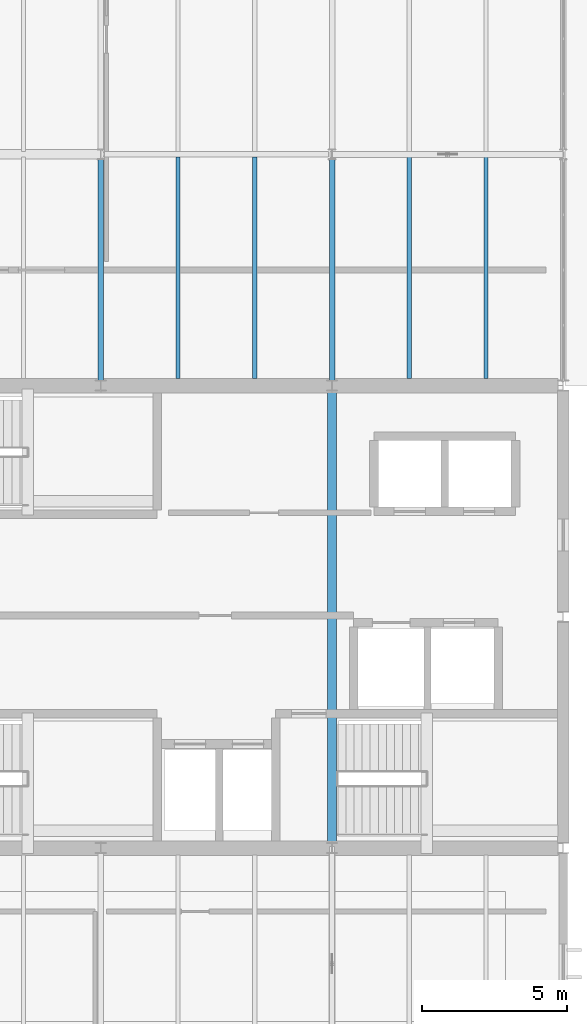
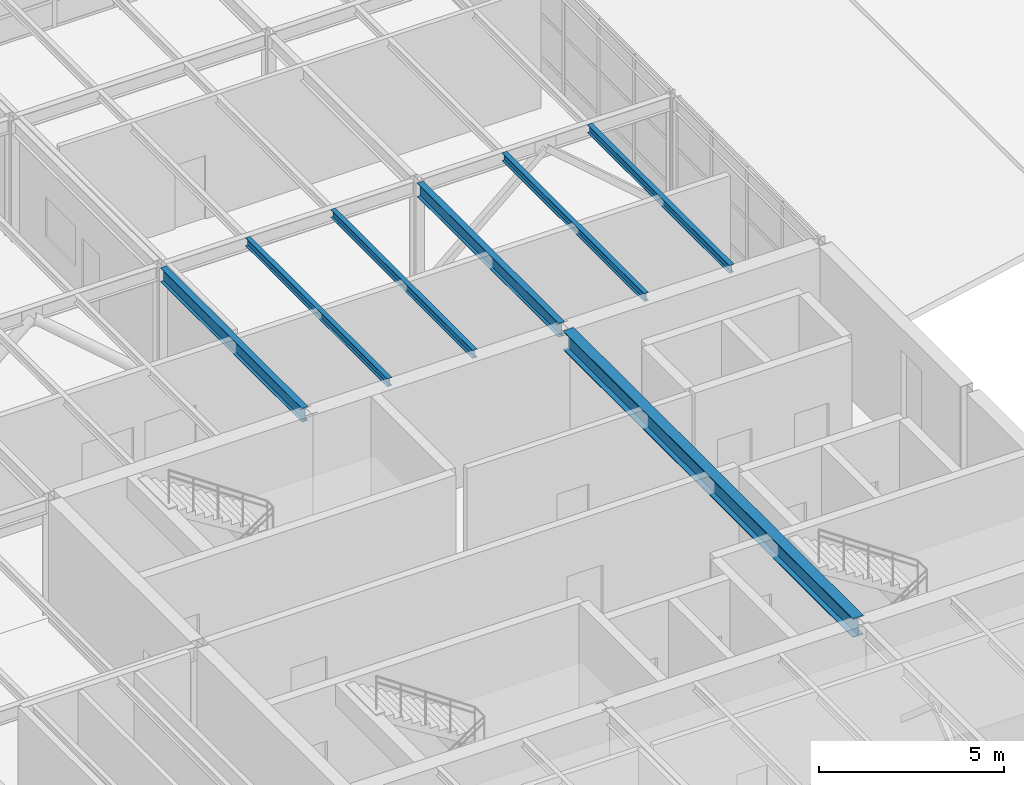
# One storey, part 6 of 20: 7 beams.
"""IFC4 building model written with IfcOpenShell, lengths in metres."""

import ifcopenshell
import ifcopenshell.guid

model = None  # the IFC model being written
_history = None  # IfcOwnerHistory: only IFC2X3 demands one
_inside = {}  # id of a spatial element -> (the spatial element, [elements in it])
_under = {}  # id of a project, library or spatial element -> (it, [spatial elements below it])
_declared = {}  # id of a project -> (the project, [libraries it declares])
_typed = {}  # id of a type object -> (the type object, [elements of that type])
_made_of = {}  # id of a material, layer set ... -> (it, [elements and type objects made of it])


def new_model(schema):
    """Start an empty IFC model of exactly this schema.

    Asked for "IFC4X3", IfcOpenShell would pick the latest addendum, in which some entities
    have other attributes; the version numbers below select the first issue.
    IFC2X3 requires an IfcOwnerHistory on every rooted entity: one is made here for all.
    """
    global model, _history
    if schema == "IFC4X3":
        model = ifcopenshell.file(schema_version=(4, 3, 0, 0))
    else:
        model = ifcopenshell.file(schema=schema)
    _inside.clear()
    _under.clear()
    _declared.clear()
    _typed.clear()
    _made_of.clear()
    _history = None
    if model.schema == "IFC2X3":
        org = make("IfcOrganization", Name="unknown")
        user = make(
            "IfcPersonAndOrganization",
            ThePerson=make("IfcPerson", FamilyName="unknown"),
            TheOrganization=org,
        )
        app = make(
            "IfcApplication",
            ApplicationDeveloper=org,
            Version="unknown",
            ApplicationFullName="unknown",
            ApplicationIdentifier="unknown",
        )
        _history = make(
            "IfcOwnerHistory",
            OwningUser=user,
            OwningApplication=app,
            ChangeAction="ADDED",
            CreationDate=0,
        )
    return model


def make(cls, **values):
    """One entity of the class cls with the attributes given. An attribute that is None is left unset."""
    return model.create_entity(
        cls, **{name: value for name, value in values.items() if value is not None}
    )


def rooted(cls, **values):
    """An entity with a GlobalId (a new one), such as an element, a storey or a relation."""
    return make(cls, GlobalId=ifcopenshell.guid.new(), OwnerHistory=_history, **values)


def si_unit(unit_type, name, prefix=None):
    """IfcSIUnit, for example si_unit("LENGTHUNIT", "METRE", prefix="MILLI")."""
    return make("IfcSIUnit", UnitType=unit_type, Prefix=prefix, Name=name)


def assignment(units):
    """IfcUnitAssignment: the units of a project."""
    return None if units is None else make("IfcUnitAssignment", Units=units)


def point(xyz):
    """IfcCartesianPoint."""
    return None if xyz is None else make("IfcCartesianPoint", Coordinates=xyz)


def direction(xyz):
    """IfcDirection."""
    return None if xyz is None else make("IfcDirection", DirectionRatios=xyz)


def frame(location, z_axis=None, x_axis=None):
    """IfcAxis2Placement3D, a coordinate frame: its origin and axes. An axis left out is left unset."""
    return make(
        "IfcAxis2Placement3D",
        Location=point(location),
        Axis=direction(z_axis),
        RefDirection=direction(x_axis),
    )


def frame_2d(location, x_axis=None):
    """IfcAxis2Placement2D, a coordinate frame in the plane: its origin and x axis."""
    return make(
        "IfcAxis2Placement2D", Location=point(location), RefDirection=direction(x_axis)
    )


def origin():
    """The frame at (0, 0, 0) with its axes left unset."""
    return frame((0.0, 0.0, 0.0))


def origin_2d():
    """The frame at (0, 0) in the plane with its x axis left unset."""
    return frame_2d((0.0, 0.0))


def place(relative_to, where):
    """IfcLocalPlacement: puts the frame where relative to a parent placement (None: the world)."""
    return make(
        "IfcLocalPlacement", PlacementRelTo=relative_to, RelativePlacement=where
    )


def context(
    kind, dimensions, precision=None, world=None, true_north=None, identifier=None
):
    """IfcGeometricRepresentationContext, for example the 3D "Model" context."""
    return make(
        "IfcGeometricRepresentationContext",
        ContextIdentifier=identifier,
        ContextType=kind,
        CoordinateSpaceDimension=dimensions,
        Precision=precision,
        WorldCoordinateSystem=world,
        TrueNorth=true_north,
    )


def subcontext(parent, identifier, kind, view, scale=None):
    """IfcGeometricRepresentationSubContext, for example "Body" below "Model"."""
    return make(
        "IfcGeometricRepresentationSubContext",
        ContextIdentifier=identifier,
        ContextType=kind,
        ParentContext=parent,
        TargetScale=scale,
        TargetView=view,
    )


def project(units=None, contexts=None):
    """IfcProject with its units and contexts."""
    return rooted(
        "IfcProject",
        Name="project",
        RepresentationContexts=contexts,
        UnitsInContext=assignment(units),
    )


def spatial(cls, under=None, at=None, **own):
    """A site, building, storey or space (cls), placed at a placement, below another one or the project."""
    s = rooted(cls, ObjectPlacement=at, **own)
    if under is not None:
        _under.setdefault(under.id(), (under, []))[1].append(s)
    return s


def profile(cls, at=None, kind="AREA", **sizes):
    """A parametric profile (cls). Its sizes go by their IFC names, for example OverallWidth=200.0."""
    return make(cls, ProfileType=kind, Position=at, **sizes)


def i_section(**sizes):
    """IfcIShapeProfileDef."""
    return profile("IfcIShapeProfileDef", **sizes)


def extrude(swept, where, along, depth):
    """IfcExtrudedAreaSolid: the profile swept, set in the frame where, extruded along a direction by depth."""
    return make(
        "IfcExtrudedAreaSolid",
        SweptArea=swept,
        Position=where,
        ExtrudedDirection=direction(along),
        Depth=depth,
    )


def shape(context_of_items, identifier, shape_type, items):
    """IfcShapeRepresentation: the items that make up one representation, for example the "Body"."""
    return make(
        "IfcShapeRepresentation",
        ContextOfItems=context_of_items,
        RepresentationIdentifier=identifier,
        RepresentationType=shape_type,
        Items=items,
    )


def material(Name=None, Category=None):
    """IfcMaterial."""
    return make("IfcMaterial", Name=Name, Category=Category)


def material_profile(
    of_material, cross_section, Name=None, Category=None, Priority=None
):
    """IfcMaterialProfile: a cross section and its material."""
    return make(
        "IfcMaterialProfile",
        Name=Name,
        Material=of_material,
        Profile=cross_section,
        Priority=Priority,
        Category=Category,
    )


def profile_set(profiles, Name=None, composite=None):
    """IfcMaterialProfileSet."""
    return make(
        "IfcMaterialProfileSet",
        Name=Name,
        MaterialProfiles=profiles,
        CompositeProfile=composite,
    )


def made_of(thing, what):
    """Note that an element or type object is made of a material, layer set ...; save() writes the relation."""
    if what is not None:
        _made_of.setdefault(what.id(), (what, []))[1].append(thing)
    return thing


def type_object(cls, material=None, **own):
    """A type object (cls), such as IfcWallType, which elements share."""
    return made_of(rooted(cls, **own), material)


def element(
    cls,
    number,
    at=None,
    inside=None,
    cuts=None,
    type_object=None,
    material=None,
    context=None,
    identifier="Body",
    shape_type=None,
    held_by="IfcProductDefinitionShape",
    body=None,
    shapes=None,
    **own,
):
    """One element of the class cls, such as IfcWall. Its Tag is "e" and its number.

    at: its placement. inside: the storey or other place that contains it. cuts: it is an
    opening in that element (IfcRelVoidsElement). A single representation is given by context,
    identifier, shape_type and body (its items); several are given by shapes. held_by: the class
    of the entity that holds the representations. save() writes the other relations.
    """
    e = rooted(cls, Tag="e%d" % number, ObjectPlacement=at, **own)
    if body is not None:
        shapes = [shape(context, identifier, shape_type, body)]
    if shapes is not None:
        e.Representation = make(held_by, Representations=shapes)
    if inside is not None:
        _inside.setdefault(inside.id(), (inside, []))[1].append(e)
    if cuts is not None:
        rooted(
            "IfcRelVoidsElement", RelatingBuildingElement=cuts, RelatedOpeningElement=e
        )
    if type_object is not None:
        _typed.setdefault(type_object.id(), (type_object, []))[1].append(e)
    return made_of(e, material)


def aggregate(whole, parts):
    """IfcRelAggregates: a whole, such as a stair, and the parts it consists of."""
    return rooted("IfcRelAggregates", RelatingObject=whole, RelatedObjects=parts)


def save(model, path):
    """Write the relations noted so far, then the file.

    IfcRelAggregates (storeys below a building ...), IfcRelContainedInSpatialStructure (elements
    in a storey), IfcRelDefinesByType, IfcRelAssociatesMaterial and IfcRelDeclares: one each for
    every whole, place, type object, material and project.
    """
    for whole, parts in _under.values():
        aggregate(whole, parts)
    for where, things in _inside.values():
        rooted(
            "IfcRelContainedInSpatialStructure",
            RelatedElements=things,
            RelatingStructure=where,
        )
    for kind, things in _typed.values():
        rooted("IfcRelDefinesByType", RelatedObjects=things, RelatingType=kind)
    for what, things in _made_of.values():
        rooted("IfcRelAssociatesMaterial", RelatedObjects=things, RelatingMaterial=what)
    for by, libraries in _declared.values():
        rooted("IfcRelDeclares", RelatingContext=by, RelatedDefinitions=libraries)
    model.write(path)


model = new_model("IFC4")

# Units and contexts
model_context = context("Model", 3, precision=1e-05, world=origin(), true_north=direction((0.0, 1.0)))
body_context = subcontext(model_context, "Body", "Model", "MODEL_VIEW")
ifc_project = project(units=[si_unit("LENGTHUNIT", "METRE"), si_unit("AREAUNIT", "SQUARE_METRE"), si_unit("VOLUMEUNIT", "CUBIC_METRE"), si_unit("PLANEANGLEUNIT", "RADIAN"), si_unit("MASSUNIT", "GRAM", prefix="KILO")], contexts=[model_context])

# Site, building, storey
site_placement = place(None, origin())
site = spatial("IfcSite", under=ifc_project, at=site_placement, CompositionType="ELEMENT")
building_placement = place(site_placement, origin())
building = spatial("IfcBuilding", under=site, at=building_placement, Name="Varnela Railside Interchange", CompositionType="ELEMENT")
storey_placement = place(building_placement, frame((0.0, 0.0, 28.0)))
storey = spatial("IfcBuildingStorey", under=building, at=storey_placement, Name="L06", CompositionType="ELEMENT", Elevation=28.0)

# Beams
ifc_material = material(Name="Steel AR 350 (350 MPa)", Category="steel")
ifc_material_profile_1 = material_profile(ifc_material, i_section(OverallWidth=0.14794921875, OverallDepth=0.26611328125, WebThickness=0.007568359375, FlangeThickness=0.012939453125, at=origin_2d()), Name="W250x44.8")
ifc_profile_set_1 = profile_set([ifc_material_profile_1], Name="Steel AR 350 (350 MPa)")
beam_type_1 = type_object("IfcBeamType", Name="Composite Floor Joist J-05", PredefinedType="JOIST", material=ifc_profile_set_1)
for number, where, z_axis, x_axis, name in (
    (1, (22.669921875, 70.239990234375, 3.846923828125), (0.0, 1.0, 0.0), (-1.0, 0.0, 0.0), "Composite Floor Joist J-05 (L06) (BM-2664)"),
    (2, (25.330078125, 70.239990234375, 3.846923828125), (0.0, 1.0, 0.0), (-1.0, 0.0, 0.0), "Composite Floor Joist J-05 (L06) (BM-2665)"),
    (3, (30.669921875, 70.239990234375, 3.846923828125), (0.0, 1.0, 0.0), (-1.0, 0.0, 0.0), "Composite Floor Joist J-05 (L06) (BM-2672)"),
    (4, (33.330078125, 70.239990234375, 3.846923828125), (0.0, 1.0, 0.0), (-1.0, 0.0, 0.0), "Composite Floor Joist J-05 (L06) (BM-2673)"),
):
    element("IfcBeam", number, at=place(storey_placement, frame(where, z_axis=z_axis, x_axis=x_axis)), inside=storey, type_object=beam_type_1, Name=name, PredefinedType="JOIST", context=body_context, shape_type="SweptSolid", body=[
        extrude(i_section(OverallWidth=0.14794921875, OverallDepth=0.26611328125, WebThickness=0.007568359375, FlangeThickness=0.012939453125, at=origin_2d()), origin(), (0.0, 0.0, 1.0), 7.6640625),
    ])
ifc_material_profile_2 = material_profile(ifc_material, i_section(OverallWidth=0.18994140625, OverallDepth=0.45703125, WebThickness=0.009033203125, FlangeThickness=0.014404296875, at=origin_2d()), Name="W460x74")
ifc_profile_set_2 = profile_set([ifc_material_profile_2], Name="Steel AR 350 (350 MPa)")
beam_type_2 = type_object("IfcBeamType", Name="Composite Primary Beam B-21", PredefinedType="BEAM", material=ifc_profile_set_2)
for number, where, z_axis, x_axis, name in (
    (5, (20.0, 70.179931640625, 3.75146484375), (0.0, 1.0, 0.0), (-1.0, 0.0, 0.0), "Composite Primary Beam B-21 (L06) (BM-2706)"),
    (6, (28.0, 70.179931640625, 3.75146484375), (0.0, 1.0, 0.0), (-1.0, 0.0, 0.0), "Composite Primary Beam B-21 (L06) (BM-2711)"),
):
    element("IfcBeam", number, at=place(storey_placement, frame(where, z_axis=z_axis, x_axis=x_axis)), inside=storey, type_object=beam_type_2, Name=name, PredefinedType="BEAM", context=body_context, shape_type="SweptSolid", body=[
        extrude(i_section(OverallWidth=0.18994140625, OverallDepth=0.45703125, WebThickness=0.009033203125, FlangeThickness=0.014404296875, at=origin_2d()), origin(), (0.0, 0.0, 1.0), 7.638671875),
    ])
ifc_material_profile_3 = material_profile(ifc_material, i_section(OverallWidth=0.327880859375, OverallDepth=0.6279296875, WebThickness=0.0166015625, FlangeThickness=0.027587890625, at=origin_2d()), Name="W610x217")
ifc_profile_set_3 = profile_set([ifc_material_profile_3], Name="Steel AR 350 (350 MPa)")
beam_type_3 = type_object("IfcBeamType", Name="Transfer Tie Steel Girder B-12", PredefinedType="BEAM", material=ifc_profile_set_3)
beam_placement = place(storey_placement, frame((28.0, 54.179931640625, 3.666015625), z_axis=(0.0, 1.0, 0.0), x_axis=(-1.0, 0.0, 0.0)))
element("IfcBeam", 7, at=beam_placement, inside=storey, type_object=beam_type_3, Name="Transfer Tie Steel Girder B-12 (L06) (BM-2710)", PredefinedType="BEAM", context=body_context, shape_type="SweptSolid", body=[
    extrude(i_section(OverallWidth=0.327880859375, OverallDepth=0.6279296875, WebThickness=0.0166015625, FlangeThickness=0.027587890625, at=origin_2d()), origin(), (0.0, 0.0, 1.0), 15.64013671875),
])

save(model, "model.ifc")
